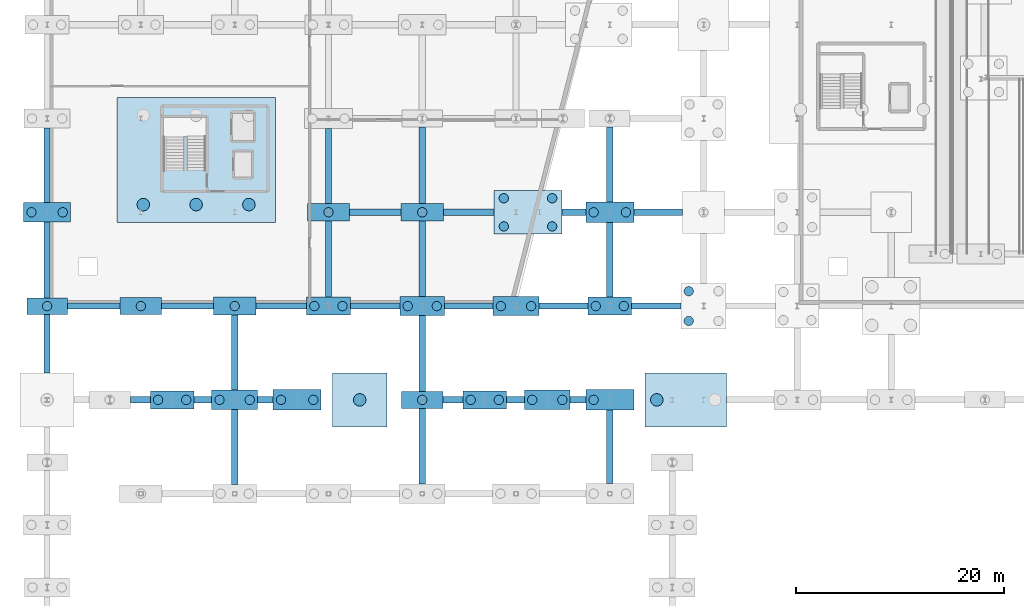
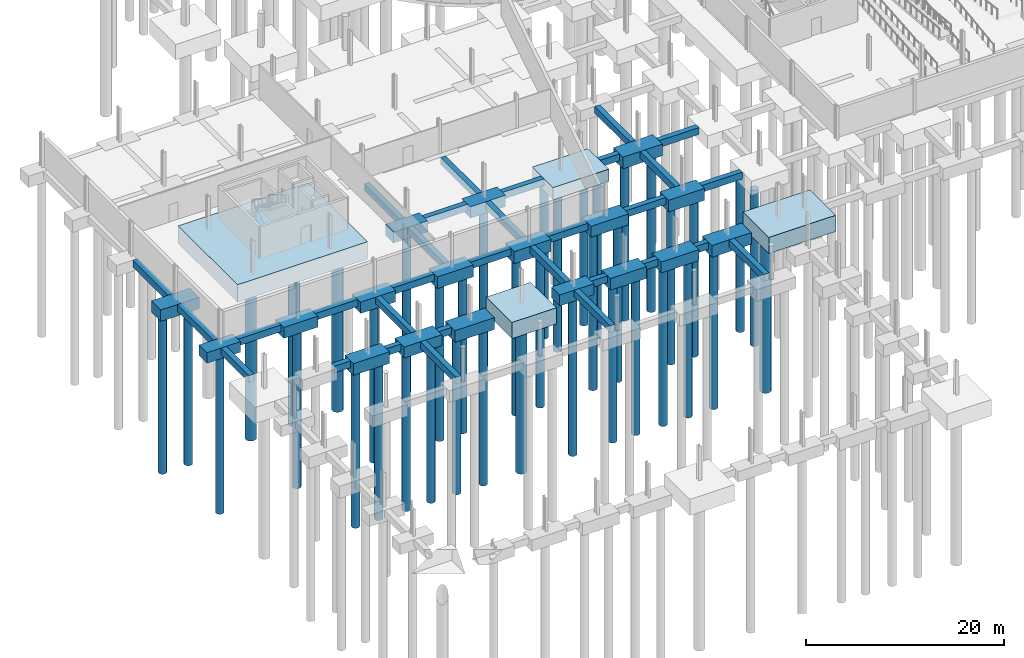
# One storey, part 2 of 42: 53 footings, 40 piles.
"""IFC4 building model written with IfcOpenShell, lengths in metres."""

from ifc_helpers import new_model, si_unit, direction, frame, origin, origin_2d, place, context, subcontext, project, spatial, rectangle, circle, extrude, material, material_profile, profile_set, type_object, element, save


model = new_model("IFC4")

# Units and contexts
model_context = context("Model", 3, precision=1e-05, world=origin(), true_north=direction((0.0, 1.0)))
body_context = subcontext(model_context, "Body", "Model", "MODEL_VIEW")
ifc_project = project(units=[si_unit("LENGTHUNIT", "METRE"), si_unit("AREAUNIT", "SQUARE_METRE"), si_unit("VOLUMEUNIT", "CUBIC_METRE"), si_unit("PLANEANGLEUNIT", "RADIAN"), si_unit("MASSUNIT", "GRAM", prefix="KILO")], contexts=[model_context])

# Site, building, storey
site_placement = place(None, origin())
site = spatial("IfcSite", under=ifc_project, at=site_placement, CompositionType="ELEMENT")
building_placement = place(site_placement, origin())
building = spatial("IfcBuilding", under=site, at=building_placement, Name="Deido Ridge Mobility Hub", CompositionType="ELEMENT")
storey_placement = place(building_placement, frame((0.0, 0.0, -4.199951171875)))
storey = spatial("IfcBuildingStorey", under=building, at=storey_placement, Name="B1", CompositionType="ELEMENT", Elevation=-4.199951171875)

# Footings
ifc_material = material(Name="Concrete C40/50", Category="concrete")
footing_type_1 = type_object("IfcFootingType", Name="FTG-PC-3900X1600X1300", PredefinedType="PILE_CAP", material=ifc_material)
footing_1_placement = place(storey_placement, frame((0.0, 45.0, -1.30029296875), z_axis=(0.0, 0.0, 1.0), x_axis=(1.0, 0.0, 0.0)))
element("IfcFooting", 1, at=footing_1_placement, inside=storey, type_object=footing_type_1, Name="Pile cap PC1", PredefinedType="PILE_CAP", context=body_context, shape_type="SweptSolid", body=[
    extrude(rectangle(XDim=3.89990234375, YDim=1.60009765625, at=origin_2d()), origin(), (0.0, 0.0, 1.0), 1.300048828125),
])
footing_type_2 = type_object("IfcFootingType", Name="FTG-PC-4000X1650X1350", PredefinedType="PILE_CAP", material=ifc_material)
for number, where, z_axis, x_axis, name in (
    (2, (36.0, 36.0, -1.35009765625), (0.0, 0.0, 1.0), (1.0, 0.0, 0.0), "Pile cap PC2"),
    (3, (9.0, 45.0, -1.35009765625), (0.0, 0.0, 1.0), (1.0, 0.0, 0.0), "Pile cap PC2"),
    (4, (27.0, 54.0, -1.35009765625), (0.0, 0.0, 1.0), (1.0, 0.0, 0.0), "Pile cap PC2"),
):
    element("IfcFooting", number, at=place(storey_placement, frame(where, z_axis=z_axis, x_axis=x_axis)), inside=storey, type_object=footing_type_2, Name=name, PredefinedType="PILE_CAP", context=body_context, shape_type="SweptSolid", body=[
        extrude(rectangle(XDim=4.0, YDim=1.64990234375, at=origin_2d()), origin(), (0.0, 0.0, 1.0), 1.35009765625),
    ])
footing_type_3 = type_object("IfcFootingType", Name="FTG-PC-4100X1700X1400", PredefinedType="PILE_CAP", material=ifc_material)
for number, where, z_axis, x_axis, name in (
    (5, (18.0, 45.0, -1.39990234375), (0.0, 0.0, 1.0), (1.0, 0.0, 0.0), "Pile cap PC3"),
    (6, (36.0, 54.0, -1.39990234375), (0.0, 0.0, 1.0), (1.0, 0.0, 0.0), "Pile cap PC3"),
):
    element("IfcFooting", number, at=place(storey_placement, frame(where, z_axis=z_axis, x_axis=x_axis)), inside=storey, type_object=footing_type_3, Name=name, PredefinedType="PILE_CAP", context=body_context, shape_type="SweptSolid", body=[
        extrude(rectangle(XDim=4.10009765625, YDim=1.699951171875, at=origin_2d()), origin(), (0.0, 0.0, 1.0), 1.39990234375),
    ])
footing_type_4 = type_object("IfcFootingType", Name="FTG-PC-4200X1750X1450", PredefinedType="PILE_CAP", material=ifc_material)
for number, where, z_axis, x_axis, name in (
    (7, (12.0, 36.0, -1.4501953125), (0.0, 0.0, 1.0), (1.0, 0.0, 0.0), "Pile cap PC4"),
    (8, (42.0, 36.0, -1.4501953125), (0.0, 0.0, 1.0), (1.0, 0.0, 0.0), "Pile cap PC4"),
    (9, (27.0, 45.0, -1.4501953125), (0.0, 0.0, 1.0), (1.0, 0.0, 0.0), "Pile cap PC4"),
    (10, (54.0, 45.0, -1.4501953125), (0.0, 0.0, 1.0), (1.0, 0.0, 0.0), "Pile cap PC4"),
):
    element("IfcFooting", number, at=place(storey_placement, frame(where, z_axis=z_axis, x_axis=x_axis)), inside=storey, type_object=footing_type_4, Name=name, PredefinedType="PILE_CAP", context=body_context, shape_type="SweptSolid", body=[
        extrude(rectangle(XDim=4.199951171875, YDim=1.75, at=origin_2d()), origin(), (0.0, 0.0, 1.0), 1.449951171875),
    ])
footing_type_5 = type_object("IfcFootingType", Name="FTG-PC-4300X1800X1500", PredefinedType="PILE_CAP", material=ifc_material)
footing_2_placement = place(storey_placement, frame((36.0, 45.0, -1.5), z_axis=(0.0, 0.0, 1.0), x_axis=(1.0, 0.0, 0.0)))
element("IfcFooting", 11, at=footing_2_placement, inside=storey, type_object=footing_type_5, Name="Pile cap PC5", PredefinedType="PILE_CAP", context=body_context, shape_type="SweptSolid", body=[
    extrude(rectangle(XDim=4.300048828125, YDim=1.800048828125, at=origin_2d()), origin(), (0.0, 0.0, 1.0), 1.5),
])
footing_type_6 = type_object("IfcFootingType", Name="FTG-PC-4400X1850X1350", PredefinedType="PILE_CAP", material=ifc_material)
for number, where, z_axis, x_axis, name in (
    (12, (18.0, 36.0, -1.35009765625), (0.0, 0.0, 1.0), (1.0, 0.0, 0.0), "Pile cap PC6"),
    (13, (48.0, 36.0, -1.35009765625), (0.0, 0.0, 1.0), (1.0, 0.0, 0.0), "Pile cap PC6"),
    (14, (45.0, 45.0, -1.35009765625), (0.0, 0.0, 1.0), (1.0, 0.0, 0.0), "Pile cap PC6"),
):
    element("IfcFooting", number, at=place(storey_placement, frame(where, z_axis=z_axis, x_axis=x_axis)), inside=storey, type_object=footing_type_6, Name=name, PredefinedType="PILE_CAP", context=body_context, shape_type="SweptSolid", body=[
        extrude(rectangle(XDim=4.39990234375, YDim=1.85009765625, at=origin_2d()), origin(), (0.0, 0.0, 1.0), 1.35009765625),
    ])
footing_type_7 = type_object("IfcFootingType", Name="FTG-PC-4500X1900X1400", PredefinedType="PILE_CAP", material=ifc_material)
footing_3_placement = place(storey_placement, frame((0.0, 54.0, -1.39990234375), z_axis=(0.0, 0.0, 1.0), x_axis=(1.0, 0.0, 0.0)))
element("IfcFooting", 15, at=footing_3_placement, inside=storey, type_object=footing_type_7, Name="Pile cap PC7", PredefinedType="PILE_CAP", context=body_context, shape_type="SweptSolid", body=[
    extrude(rectangle(XDim=4.5, YDim=1.89990234375, at=origin_2d()), origin(), (0.0, 0.0, 1.0), 1.39990234375),
])
footing_type_8 = type_object("IfcFootingType", Name="FTG-PC-4600X1950X1450", PredefinedType="PILE_CAP", material=ifc_material)
for number, where, z_axis, x_axis, name in (
    (16, (24.0, 36.0, -1.4501953125), (0.0, 0.0, 1.0), (1.0, 0.0, 0.0), "Pile cap PC8"),
    (17, (54.0, 36.0, -1.4501953125), (0.0, 0.0, 1.0), (1.0, 0.0, 0.0), "Pile cap PC8"),
    (18, (54.0, 54.0, -1.4501953125), (0.0, 0.0, 1.0), (1.0, 0.0, 0.0), "Pile cap PC8"),
):
    element("IfcFooting", number, at=place(storey_placement, frame(where, z_axis=z_axis, x_axis=x_axis)), inside=storey, type_object=footing_type_8, Name=name, PredefinedType="PILE_CAP", context=body_context, shape_type="SweptSolid", body=[
        extrude(rectangle(XDim=4.60009765625, YDim=1.949951171875, at=origin_2d()), origin(), (0.0, 0.0, 1.0), 1.449951171875),
    ])
footing_type_9 = type_object("IfcFootingType", Name="FTG-PC-6500X4200X1500", PredefinedType="PILE_CAP", material=ifc_material)
footing_4_placement = place(storey_placement, frame((46.14990234375, 54.0, -1.5), z_axis=(0.0, 0.0, 1.0), x_axis=(1.0, 0.0, 0.0)))
element("IfcFooting", 19, at=footing_4_placement, inside=storey, type_object=footing_type_9, Name="Pile cap PC9", PredefinedType="PILE_CAP", context=body_context, shape_type="SweptSolid", body=[
    extrude(rectangle(XDim=6.5, YDim=4.199951171875, at=origin_2d()), origin(), (0.0, 0.0, 1.0), 1.5),
])
footing_type_10 = type_object("IfcFootingType", Name="FTG-PC-C6", PredefinedType="PILE_CAP", material=ifc_material)
footing_5_placement = place(storey_placement, frame((14.300048828125, 59.02490234375, -2.14990234375), z_axis=(0.0, 0.0, 1.0), x_axis=(1.0, 0.0, 0.0)))
element("IfcFooting", 20, at=footing_5_placement, inside=storey, type_object=footing_type_10, Name="Pile cap PC-C6", PredefinedType="PILE_CAP", context=body_context, shape_type="SweptSolid", body=[
    extrude(rectangle(XDim=15.199951171875, YDim=12.0, at=origin_2d()), origin(), (0.0, 0.0, 1.0), 2.14990234375),
])
footing_type_11 = type_object("IfcFootingType", Name="FTG-PC-MC3", PredefinedType="PILE_CAP", material=ifc_material)
footing_6_placement = place(storey_placement, frame((61.300048828125, 36.0, -2.0), z_axis=(0.0, 0.0, 1.0), x_axis=(1.0, 0.0, 0.0)))
element("IfcFooting", 21, at=footing_6_placement, inside=storey, type_object=footing_type_11, Name="Pile cap PC-MC3", PredefinedType="PILE_CAP", context=body_context, shape_type="SweptSolid", body=[
    extrude(rectangle(XDim=7.800048828125, YDim=5.199951171875, at=origin_2d()), origin(), (0.0, 0.0, 1.0), 2.0),
])
footing_type_12 = type_object("IfcFootingType", Name="FTG-PC-MC6", PredefinedType="PILE_CAP", material=ifc_material)
footing_7_placement = place(storey_placement, frame((30.0, 36.0, -2.0), z_axis=(0.0, 0.0, 1.0), x_axis=(1.0, 0.0, 0.0)))
element("IfcFooting", 22, at=footing_7_placement, inside=storey, type_object=footing_type_12, Name="Pile cap PC-MC6", PredefinedType="PILE_CAP", context=body_context, shape_type="SweptSolid", body=[
    extrude(rectangle(XDim=5.199951171875, YDim=5.199951171875, at=origin_2d()), origin(), (0.0, 0.0, 1.0), 2.0),
])
ifc_material_profile_1 = material_profile(ifc_material, rectangle(XDim=0.60009765625, YDim=0.85009765625, at=origin_2d()), Name="RC GB 600x850")
ifc_profile_set_1 = profile_set([ifc_material_profile_1], Name="Concrete C40/50")
footing_type_13 = type_object("IfcFootingType", Name="GB-RC600X850", PredefinedType="FOOTING_BEAM", material=ifc_profile_set_1)
footing_8_placement = place(storey_placement, frame((8.0, 36.0, -0.425048828125), z_axis=(1.0, 0.0, 0.0), x_axis=(0.0, 1.0, 0.0)))
element("IfcFooting", 23, at=footing_8_placement, inside=storey, type_object=footing_type_13, Name="Ground beam GB1", PredefinedType="FOOTING_BEAM", context=body_context, shape_type="SweptSolid", body=[
    extrude(rectangle(XDim=0.60009765625, YDim=0.85009765625, at=origin_2d()), origin(), (0.0, 0.0, 1.0), 1.89990234375),
])
footing_9_placement = place(storey_placement, frame((14.10009765625, 36.0, -0.425048828125), z_axis=(1.0, 0.0, 0.0), x_axis=(0.0, 1.0, 0.0)))
element("IfcFooting", 24, at=footing_9_placement, inside=storey, type_object=footing_type_13, Name="Ground beam GB1", PredefinedType="FOOTING_BEAM", context=body_context, shape_type="SweptSolid", body=[
    extrude(rectangle(XDim=0.60009765625, YDim=0.85009765625, at=origin_2d()), origin(), (0.0, 0.0, 1.0), 1.699951171875),
])
footing_10_placement = place(storey_placement, frame((20.199951171875, 36.0, -0.425048828125), z_axis=(1.0, 0.0, 0.0), x_axis=(0.0, 1.0, 0.0)))
element("IfcFooting", 25, at=footing_10_placement, inside=storey, type_object=footing_type_13, Name="Ground beam GB1", PredefinedType="FOOTING_BEAM", context=body_context, shape_type="SweptSolid", body=[
    extrude(rectangle(XDim=0.60009765625, YDim=0.85009765625, at=origin_2d()), origin(), (0.0, 0.0, 1.0), 1.5),
])
footing_11_placement = place(storey_placement, frame((38.0, 36.0, -0.425048828125), z_axis=(1.0, 0.0, 0.0), x_axis=(0.0, 1.0, 0.0)))
element("IfcFooting", 26, at=footing_11_placement, inside=storey, type_object=footing_type_13, Name="Ground beam GB1", PredefinedType="FOOTING_BEAM", context=body_context, shape_type="SweptSolid", body=[
    extrude(rectangle(XDim=0.60009765625, YDim=0.85009765625, at=origin_2d()), origin(), (0.0, 0.0, 1.0), 1.89990234375),
])
footing_12_placement = place(storey_placement, frame((44.10009765625, 36.0, -0.425048828125), z_axis=(1.0, 0.0, 0.0), x_axis=(0.0, 1.0, 0.0)))
element("IfcFooting", 27, at=footing_12_placement, inside=storey, type_object=footing_type_13, Name="Ground beam GB1", PredefinedType="FOOTING_BEAM", context=body_context, shape_type="SweptSolid", body=[
    extrude(rectangle(XDim=0.60009765625, YDim=0.85009765625, at=origin_2d()), origin(), (0.0, 0.0, 1.0), 1.699951171875),
])
footing_13_placement = place(storey_placement, frame((50.199951171875, 36.0, -0.425048828125), z_axis=(1.0, 0.0, 0.0), x_axis=(0.0, 1.0, 0.0)))
element("IfcFooting", 28, at=footing_13_placement, inside=storey, type_object=footing_type_13, Name="Ground beam GB1", PredefinedType="FOOTING_BEAM", context=body_context, shape_type="SweptSolid", body=[
    extrude(rectangle(XDim=0.60009765625, YDim=0.85009765625, at=origin_2d()), origin(), (0.0, 0.0, 1.0), 1.5),
])
footing_14_placement = place(storey_placement, frame((1.949951171875, 45.0, -0.425048828125), z_axis=(1.0, 0.0, 0.0), x_axis=(0.0, 1.0, 0.0)))
element("IfcFooting", 29, at=footing_14_placement, inside=storey, type_object=footing_type_13, Name="Ground beam GB1", PredefinedType="FOOTING_BEAM", context=body_context, shape_type="SweptSolid", body=[
    extrude(rectangle(XDim=0.60009765625, YDim=0.85009765625, at=origin_2d()), origin(), (0.0, 0.0, 1.0), 5.050048828125),
])
footing_15_placement = place(storey_placement, frame((11.0, 45.0, -0.425048828125), z_axis=(1.0, 0.0, 0.0), x_axis=(0.0, 1.0, 0.0)))
element("IfcFooting", 30, at=footing_15_placement, inside=storey, type_object=footing_type_13, Name="Ground beam GB1", PredefinedType="FOOTING_BEAM", context=body_context, shape_type="SweptSolid", body=[
    extrude(rectangle(XDim=0.60009765625, YDim=0.85009765625, at=origin_2d()), origin(), (0.0, 0.0, 1.0), 4.949951171875),
])
footing_16_placement = place(storey_placement, frame((20.050048828125, 45.0, -0.425048828125), z_axis=(1.0, 0.0, 0.0), x_axis=(0.0, 1.0, 0.0)))
element("IfcFooting", 31, at=footing_16_placement, inside=storey, type_object=footing_type_13, Name="Ground beam GB1", PredefinedType="FOOTING_BEAM", context=body_context, shape_type="SweptSolid", body=[
    extrude(rectangle(XDim=0.60009765625, YDim=0.85009765625, at=origin_2d()), origin(), (0.0, 0.0, 1.0), 4.849853515625),
])
footing_17_placement = place(storey_placement, frame((29.10009765625, 45.0, -0.425048828125), z_axis=(1.0, 0.0, 0.0), x_axis=(0.0, 1.0, 0.0)))
element("IfcFooting", 32, at=footing_17_placement, inside=storey, type_object=footing_type_13, Name="Ground beam GB1", PredefinedType="FOOTING_BEAM", context=body_context, shape_type="SweptSolid", body=[
    extrude(rectangle(XDim=0.60009765625, YDim=0.85009765625, at=origin_2d()), origin(), (0.0, 0.0, 1.0), 4.75),
])
footing_18_placement = place(storey_placement, frame((38.14990234375, 45.0, -0.425048828125), z_axis=(1.0, 0.0, 0.0), x_axis=(0.0, 1.0, 0.0)))
element("IfcFooting", 33, at=footing_18_placement, inside=storey, type_object=footing_type_13, Name="Ground beam GB1", PredefinedType="FOOTING_BEAM", context=body_context, shape_type="SweptSolid", body=[
    extrude(rectangle(XDim=0.60009765625, YDim=0.85009765625, at=origin_2d()), origin(), (0.0, 0.0, 1.0), 4.650146484375),
])
footing_19_placement = place(storey_placement, frame((47.199951171875, 45.0, -0.425048828125), z_axis=(1.0, 0.0, 0.0), x_axis=(0.0, 1.0, 0.0)))
element("IfcFooting", 34, at=footing_19_placement, inside=storey, type_object=footing_type_13, Name="Ground beam GB1", PredefinedType="FOOTING_BEAM", context=body_context, shape_type="SweptSolid", body=[
    extrude(rectangle(XDim=0.60009765625, YDim=0.85009765625, at=origin_2d()), origin(), (0.0, 0.0, 1.0), 4.699951171875),
])
footing_20_placement = place(storey_placement, frame((56.10009765625, 45.0, -0.425048828125), z_axis=(1.0, 0.0, 0.0), x_axis=(0.0, 1.0, 0.0)))
element("IfcFooting", 35, at=footing_20_placement, inside=storey, type_object=footing_type_13, Name="Ground beam GB1", PredefinedType="FOOTING_BEAM", context=body_context, shape_type="SweptSolid", body=[
    extrude(rectangle(XDim=0.60009765625, YDim=0.85009765625, at=origin_2d()), origin(), (0.0, 0.0, 1.0), 4.724853515625),
])
footing_21_placement = place(storey_placement, frame((29.0, 54.0, -0.425048828125), z_axis=(1.0, 0.0, 0.0), x_axis=(0.0, 1.0, 0.0)))
element("IfcFooting", 36, at=footing_21_placement, inside=storey, type_object=footing_type_13, Name="Ground beam GB1", PredefinedType="FOOTING_BEAM", context=body_context, shape_type="SweptSolid", body=[
    extrude(rectangle(XDim=0.60009765625, YDim=0.85009765625, at=origin_2d()), origin(), (0.0, 0.0, 1.0), 4.949951171875),
])
footing_22_placement = place(storey_placement, frame((38.050048828125, 54.0, -0.425048828125), z_axis=(1.0, 0.0, 0.0), x_axis=(0.0, 1.0, 0.0)))
element("IfcFooting", 37, at=footing_22_placement, inside=storey, type_object=footing_type_13, Name="Ground beam GB1", PredefinedType="FOOTING_BEAM", context=body_context, shape_type="SweptSolid", body=[
    extrude(rectangle(XDim=0.60009765625, YDim=0.85009765625, at=origin_2d()), origin(), (0.0, 0.0, 1.0), 4.849853515625),
])
footing_23_placement = place(storey_placement, frame((49.39990234375, 54.0, -0.425048828125), z_axis=(1.0, 0.0, 0.0), x_axis=(0.0, 1.0, 0.0)))
element("IfcFooting", 38, at=footing_23_placement, inside=storey, type_object=footing_type_13, Name="Ground beam GB1", PredefinedType="FOOTING_BEAM", context=body_context, shape_type="SweptSolid", body=[
    extrude(rectangle(XDim=0.60009765625, YDim=0.85009765625, at=origin_2d()), origin(), (0.0, 0.0, 1.0), 2.300048828125),
])
footing_24_placement = place(storey_placement, frame((56.300048828125, 54.0, -0.425048828125), z_axis=(1.0, 0.0, 0.0), x_axis=(0.0, 1.0, 0.0)))
element("IfcFooting", 39, at=footing_24_placement, inside=storey, type_object=footing_type_13, Name="Ground beam GB1", PredefinedType="FOOTING_BEAM", context=body_context, shape_type="SweptSolid", body=[
    extrude(rectangle(XDim=0.60009765625, YDim=0.85009765625, at=origin_2d()), origin(), (0.0, 0.0, 1.0), 4.675048828125),
])
footing_25_placement = place(storey_placement, frame((0.0, 38.60009765625, -0.425048828125), z_axis=(0.0, 1.0, 0.0), x_axis=(-1.0, 0.0, 0.0)))
element("IfcFooting", 40, at=footing_25_placement, inside=storey, type_object=footing_type_13, Name="Ground beam GB1", PredefinedType="FOOTING_BEAM", context=body_context, shape_type="SweptSolid", body=[
    extrude(rectangle(XDim=0.60009765625, YDim=0.85009765625, at=origin_2d()), origin(), (0.0, 0.0, 1.0), 5.599853515625),
])
footing_26_placement = place(storey_placement, frame((0.0, 45.800048828125, -0.425048828125), z_axis=(0.0, 1.0, 0.0), x_axis=(-1.0, 0.0, 0.0)))
element("IfcFooting", 41, at=footing_26_placement, inside=storey, type_object=footing_type_13, Name="Ground beam GB1", PredefinedType="FOOTING_BEAM", context=body_context, shape_type="SweptSolid", body=[
    extrude(rectangle(XDim=0.60009765625, YDim=0.85009765625, at=origin_2d()), origin(), (0.0, 0.0, 1.0), 7.25),
])
footing_27_placement = place(storey_placement, frame((0.0, 54.949951171875, -0.425048828125), z_axis=(0.0, 1.0, 0.0), x_axis=(-1.0, 0.0, 0.0)))
element("IfcFooting", 42, at=footing_27_placement, inside=storey, type_object=footing_type_13, Name="Ground beam GB1", PredefinedType="FOOTING_BEAM", context=body_context, shape_type="SweptSolid", body=[
    extrude(rectangle(XDim=0.60009765625, YDim=0.85009765625, at=origin_2d()), origin(), (0.0, 0.0, 1.0), 7.125),
])
footing_28_placement = place(storey_placement, frame((18.0, 27.875, -0.425048828125), z_axis=(0.0, 1.0, 0.0), x_axis=(-1.0, 0.0, 0.0)))
element("IfcFooting", 43, at=footing_28_placement, inside=storey, type_object=footing_type_13, Name="Ground beam GB1", PredefinedType="FOOTING_BEAM", context=body_context, shape_type="SweptSolid", body=[
    extrude(rectangle(XDim=0.60009765625, YDim=0.85009765625, at=origin_2d()), origin(), (0.0, 0.0, 1.0), 7.199951171875),
])
footing_29_placement = place(storey_placement, frame((18.0, 36.925048828125, -0.425048828125), z_axis=(0.0, 1.0, 0.0), x_axis=(-1.0, 0.0, 0.0)))
element("IfcFooting", 44, at=footing_29_placement, inside=storey, type_object=footing_type_13, Name="Ground beam GB1", PredefinedType="FOOTING_BEAM", context=body_context, shape_type="SweptSolid", body=[
    extrude(rectangle(XDim=0.60009765625, YDim=0.85009765625, at=origin_2d()), origin(), (0.0, 0.0, 1.0), 7.224853515625),
])
footing_30_placement = place(storey_placement, frame((36.0, 27.925048828125, -0.425048828125), z_axis=(0.0, 1.0, 0.0), x_axis=(-1.0, 0.0, 0.0)))
element("IfcFooting", 45, at=footing_30_placement, inside=storey, type_object=footing_type_13, Name="Ground beam GB1", PredefinedType="FOOTING_BEAM", context=body_context, shape_type="SweptSolid", body=[
    extrude(rectangle(XDim=0.60009765625, YDim=0.85009765625, at=origin_2d()), origin(), (0.0, 0.0, 1.0), 7.25),
])
footing_31_placement = place(storey_placement, frame((36.0, 36.824951171875, -0.425048828125), z_axis=(0.0, 1.0, 0.0), x_axis=(-1.0, 0.0, 0.0)))
element("IfcFooting", 46, at=footing_31_placement, inside=storey, type_object=footing_type_13, Name="Ground beam GB1", PredefinedType="FOOTING_BEAM", context=body_context, shape_type="SweptSolid", body=[
    extrude(rectangle(XDim=0.60009765625, YDim=0.85009765625, at=origin_2d()), origin(), (0.0, 0.0, 1.0), 7.275146484375),
])
footing_32_placement = place(storey_placement, frame((36.0, 45.89990234375, -0.425048828125), z_axis=(0.0, 1.0, 0.0), x_axis=(-1.0, 0.0, 0.0)))
element("IfcFooting", 47, at=footing_32_placement, inside=storey, type_object=footing_type_13, Name="Ground beam GB1", PredefinedType="FOOTING_BEAM", context=body_context, shape_type="SweptSolid", body=[
    extrude(rectangle(XDim=0.60009765625, YDim=0.85009765625, at=origin_2d()), origin(), (0.0, 0.0, 1.0), 7.25),
])
footing_33_placement = place(storey_placement, frame((36.0, 54.85009765625, -0.425048828125), z_axis=(0.0, 1.0, 0.0), x_axis=(-1.0, 0.0, 0.0)))
element("IfcFooting", 48, at=footing_33_placement, inside=storey, type_object=footing_type_13, Name="Ground beam GB1", PredefinedType="FOOTING_BEAM", context=body_context, shape_type="SweptSolid", body=[
    extrude(rectangle(XDim=0.60009765625, YDim=0.85009765625, at=origin_2d()), origin(), (0.0, 0.0, 1.0), 7.349853515625),
])
footing_34_placement = place(storey_placement, frame((54.0, 27.97509765625, -0.425048828125), z_axis=(0.0, 1.0, 0.0), x_axis=(-1.0, 0.0, 0.0)))
element("IfcFooting", 49, at=footing_34_placement, inside=storey, type_object=footing_type_13, Name="Ground beam GB1", PredefinedType="FOOTING_BEAM", context=body_context, shape_type="SweptSolid", body=[
    extrude(rectangle(XDim=0.60009765625, YDim=0.85009765625, at=origin_2d()), origin(), (0.0, 0.0, 1.0), 7.0498046875),
])
footing_35_placement = place(storey_placement, frame((54.0, 45.875, -0.425048828125), z_axis=(0.0, 1.0, 0.0), x_axis=(-1.0, 0.0, 0.0)))
element("IfcFooting", 50, at=footing_35_placement, inside=storey, type_object=footing_type_13, Name="Ground beam GB1", PredefinedType="FOOTING_BEAM", context=body_context, shape_type="SweptSolid", body=[
    extrude(rectangle(XDim=0.60009765625, YDim=0.85009765625, at=origin_2d()), origin(), (0.0, 0.0, 1.0), 7.14990234375),
])
footing_36_placement = place(storey_placement, frame((54.0, 54.97509765625, -0.425048828125), z_axis=(0.0, 1.0, 0.0), x_axis=(-1.0, 0.0, 0.0)))
element("IfcFooting", 51, at=footing_36_placement, inside=storey, type_object=footing_type_13, Name="Ground beam GB1", PredefinedType="FOOTING_BEAM", context=body_context, shape_type="SweptSolid", body=[
    extrude(rectangle(XDim=0.60009765625, YDim=0.85009765625, at=origin_2d()), origin(), (0.0, 0.0, 1.0), 7.224853515625),
])
footing_37_placement = place(storey_placement, frame((27.0, 45.875, -0.425048828125), z_axis=(0.0, 1.0, 0.0), x_axis=(-1.0, 0.0, 0.0)))
element("IfcFooting", 52, at=footing_37_placement, inside=storey, type_object=footing_type_13, Name="Ground beam GB1", PredefinedType="FOOTING_BEAM", context=body_context, shape_type="SweptSolid", body=[
    extrude(rectangle(XDim=0.60009765625, YDim=0.85009765625, at=origin_2d()), origin(), (0.0, 0.0, 1.0), 7.300048828125),
])
footing_38_placement = place(storey_placement, frame((27.0, 54.824951171875, -0.425048828125), z_axis=(0.0, 1.0, 0.0), x_axis=(-1.0, 0.0, 0.0)))
element("IfcFooting", 53, at=footing_38_placement, inside=storey, type_object=footing_type_13, Name="Ground beam GB1", PredefinedType="FOOTING_BEAM", context=body_context, shape_type="SweptSolid", body=[
    extrude(rectangle(XDim=0.60009765625, YDim=0.85009765625, at=origin_2d()), origin(), (0.0, 0.0, 1.0), 7.199951171875),
])

# Piles
ifc_material_profile_2 = material_profile(ifc_material, circle(Radius=0.60009765625, at=origin_2d()), Name="BORED PILE D1200")
ifc_profile_set_2 = profile_set([ifc_material_profile_2], Name="Concrete C40/50")
pile_type_1 = type_object("IfcPileType", Name="PILE-BORED-D1200", PredefinedType="BORED", material=ifc_profile_set_2)
for number, where, z_axis, x_axis, name in (
    (54, (9.2333984375, 54.7392578125, -2.0), (0.0, 0.0, -1.0), (1.0, 0.0, 0.0), "Bored pile P2"),
    (55, (14.300048828125, 54.7392578125, -2.0), (0.0, 0.0, -1.0), (1.0, 0.0, 0.0), "Bored pile P2"),
    (56, (19.36669921875, 54.7392578125, -2.0), (0.0, 0.0, -1.0), (1.0, 0.0, 0.0), "Bored pile P2"),
):
    element("IfcPile", number, at=place(storey_placement, frame(where, z_axis=z_axis, x_axis=x_axis)), inside=storey, type_object=pile_type_1, Name=name, PredefinedType="BORED", context=body_context, shape_type="SweptSolid", body=[
        extrude(circle(Radius=0.60009765625, at=origin_2d()), origin(), (0.0, 0.0, 1.0), 18.800048828125),
    ])
for number, where, z_axis, x_axis, name in (
    (57, (58.514404296875, 36.0, -1.85009765625), (0.0, 0.0, -1.0), (1.0, 0.0, 0.0), "Bored pile P2"),
    (58, (30.0, 36.0, -1.85009765625), (0.0, 0.0, -1.0), (1.0, 0.0, 0.0), "Bored pile P2"),
):
    element("IfcPile", number, at=place(storey_placement, frame(where, z_axis=z_axis, x_axis=x_axis)), inside=storey, type_object=pile_type_1, Name=name, PredefinedType="BORED", context=body_context, shape_type="SweptSolid", body=[
        extrude(circle(Radius=0.60009765625, at=origin_2d()), origin(), (0.0, 0.0, 1.0), 18.949951171875),
    ])
ifc_material_profile_3 = material_profile(ifc_material, circle(Radius=0.449951171875, at=origin_2d()), Name="BORED PILE D900")
ifc_profile_set_3 = profile_set([ifc_material_profile_3], Name="Concrete C40/50")
pile_type_2 = type_object("IfcPileType", Name="PILE-BORED-D900", PredefinedType="BORED", material=ifc_profile_set_3)
for number, where, z_axis, x_axis, name in (
    (59, (10.64990234375, 36.0, -1.300048828125), (0.0, 0.0, -1.0), (1.0, 0.0, 0.0), "Bored pile P1"),
    (60, (13.35009765625, 36.0, -1.300048828125), (0.0, 0.0, -1.0), (1.0, 0.0, 0.0), "Bored pile P1"),
):
    element("IfcPile", number, at=place(storey_placement, frame(where, z_axis=z_axis, x_axis=x_axis)), inside=storey, type_object=pile_type_2, Name=name, PredefinedType="BORED", context=body_context, shape_type="SweptSolid", body=[
        extrude(circle(Radius=0.449951171875, at=origin_2d()), origin(), (0.0, 0.0, 1.0), 19.5),
    ])
for number, where, z_axis, x_axis, name in (
    (61, (16.550048828125, 36.0, -1.199951171875), (0.0, 0.0, -1.0), (1.0, 0.0, 0.0), "Bored pile P1"),
    (62, (19.449951171875, 36.0, -1.199951171875), (0.0, 0.0, -1.0), (1.0, 0.0, 0.0), "Bored pile P1"),
):
    element("IfcPile", number, at=place(storey_placement, frame(where, z_axis=z_axis, x_axis=x_axis)), inside=storey, type_object=pile_type_2, Name=name, PredefinedType="BORED", context=body_context, shape_type="SweptSolid", body=[
        extrude(circle(Radius=0.449951171875, at=origin_2d()), origin(), (0.0, 0.0, 1.0), 19.60009765625),
    ])
for number, where, z_axis, x_axis, name in (
    (63, (22.449951171875, 36.0, -1.300048828125), (0.0, 0.0, -1.0), (1.0, 0.0, 0.0), "Bored pile P1"),
    (64, (25.550048828125, 36.0, -1.300048828125), (0.0, 0.0, -1.0), (1.0, 0.0, 0.0), "Bored pile P1"),
):
    element("IfcPile", number, at=place(storey_placement, frame(where, z_axis=z_axis, x_axis=x_axis)), inside=storey, type_object=pile_type_2, Name=name, PredefinedType="BORED", context=body_context, shape_type="SweptSolid", body=[
        extrude(circle(Radius=0.449951171875, at=origin_2d()), origin(), (0.0, 0.0, 1.0), 19.5),
    ])
pile_1_placement = place(storey_placement, frame((36.0, 36.0, -1.199951171875), z_axis=(0.0, 0.0, -1.0), x_axis=(1.0, 0.0, 0.0)))
element("IfcPile", 65, at=pile_1_placement, inside=storey, type_object=pile_type_2, Name="Bored pile P1", PredefinedType="BORED", context=body_context, shape_type="SweptSolid", body=[
    extrude(circle(Radius=0.449951171875, at=origin_2d()), origin(), (0.0, 0.0, 1.0), 19.60009765625),
])
for number, where, z_axis, x_axis, name in (
    (66, (40.64990234375, 36.0, -1.300048828125), (0.0, 0.0, -1.0), (1.0, 0.0, 0.0), "Bored pile P1"),
    (67, (43.35009765625, 36.0, -1.300048828125), (0.0, 0.0, -1.0), (1.0, 0.0, 0.0), "Bored pile P1"),
):
    element("IfcPile", number, at=place(storey_placement, frame(where, z_axis=z_axis, x_axis=x_axis)), inside=storey, type_object=pile_type_2, Name=name, PredefinedType="BORED", context=body_context, shape_type="SweptSolid", body=[
        extrude(circle(Radius=0.449951171875, at=origin_2d()), origin(), (0.0, 0.0, 1.0), 19.5),
    ])
for number, where, z_axis, x_axis, name in (
    (68, (46.550048828125, 36.0, -1.199951171875), (0.0, 0.0, -1.0), (1.0, 0.0, 0.0), "Bored pile P1"),
    (69, (49.449951171875, 36.0, -1.199951171875), (0.0, 0.0, -1.0), (1.0, 0.0, 0.0), "Bored pile P1"),
):
    element("IfcPile", number, at=place(storey_placement, frame(where, z_axis=z_axis, x_axis=x_axis)), inside=storey, type_object=pile_type_2, Name=name, PredefinedType="BORED", context=body_context, shape_type="SweptSolid", body=[
        extrude(circle(Radius=0.449951171875, at=origin_2d()), origin(), (0.0, 0.0, 1.0), 19.60009765625),
    ])
pile_2_placement = place(storey_placement, frame((52.449951171875, 36.0, -1.300048828125), z_axis=(0.0, 0.0, -1.0), x_axis=(1.0, 0.0, 0.0)))
element("IfcPile", 70, at=pile_2_placement, inside=storey, type_object=pile_type_2, Name="Bored pile P1", PredefinedType="BORED", context=body_context, shape_type="SweptSolid", body=[
    extrude(circle(Radius=0.449951171875, at=origin_2d()), origin(), (0.0, 0.0, 1.0), 19.5),
])
pile_3_placement = place(storey_placement, frame((0.0, 45.0, -1.150146484375), z_axis=(0.0, 0.0, -1.0), x_axis=(1.0, 0.0, 0.0)))
element("IfcPile", 71, at=pile_3_placement, inside=storey, type_object=pile_type_2, Name="Bored pile P1", PredefinedType="BORED", context=body_context, shape_type="SweptSolid", body=[
    extrude(circle(Radius=0.449951171875, at=origin_2d()), origin(), (0.0, 0.0, 1.0), 19.64990234375),
])
pile_4_placement = place(storey_placement, frame((9.0, 45.0, -1.199951171875), z_axis=(0.0, 0.0, -1.0), x_axis=(1.0, 0.0, 0.0)))
element("IfcPile", 72, at=pile_4_placement, inside=storey, type_object=pile_type_2, Name="Bored pile P1", PredefinedType="BORED", context=body_context, shape_type="SweptSolid", body=[
    extrude(circle(Radius=0.449951171875, at=origin_2d()), origin(), (0.0, 0.0, 1.0), 19.60009765625),
])
pile_5_placement = place(storey_placement, frame((18.0, 45.0, -1.25), z_axis=(0.0, 0.0, -1.0), x_axis=(1.0, 0.0, 0.0)))
element("IfcPile", 73, at=pile_5_placement, inside=storey, type_object=pile_type_2, Name="Bored pile P1", PredefinedType="BORED", context=body_context, shape_type="SweptSolid", body=[
    extrude(circle(Radius=0.449951171875, at=origin_2d()), origin(), (0.0, 0.0, 1.0), 19.550048828125),
])
for number, where, z_axis, x_axis, name in (
    (74, (25.64990234375, 45.0, -1.300048828125), (0.0, 0.0, -1.0), (1.0, 0.0, 0.0), "Bored pile P1"),
    (75, (28.35009765625, 45.0, -1.300048828125), (0.0, 0.0, -1.0), (1.0, 0.0, 0.0), "Bored pile P1"),
):
    element("IfcPile", number, at=place(storey_placement, frame(where, z_axis=z_axis, x_axis=x_axis)), inside=storey, type_object=pile_type_2, Name=name, PredefinedType="BORED", context=body_context, shape_type="SweptSolid", body=[
        extrude(circle(Radius=0.449951171875, at=origin_2d()), origin(), (0.0, 0.0, 1.0), 19.5),
    ])
for number, where, z_axis, x_axis, name in (
    (76, (34.60009765625, 45.0, -1.35009765625), (0.0, 0.0, -1.0), (1.0, 0.0, 0.0), "Bored pile P1"),
    (77, (37.39990234375, 45.0, -1.35009765625), (0.0, 0.0, -1.0), (1.0, 0.0, 0.0), "Bored pile P1"),
):
    element("IfcPile", number, at=place(storey_placement, frame(where, z_axis=z_axis, x_axis=x_axis)), inside=storey, type_object=pile_type_2, Name=name, PredefinedType="BORED", context=body_context, shape_type="SweptSolid", body=[
        extrude(circle(Radius=0.449951171875, at=origin_2d()), origin(), (0.0, 0.0, 1.0), 19.449951171875),
    ])
for number, where, z_axis, x_axis, name in (
    (78, (43.550048828125, 45.0, -1.199951171875), (0.0, 0.0, -1.0), (1.0, 0.0, 0.0), "Bored pile P1"),
    (79, (46.449951171875, 45.0, -1.199951171875), (0.0, 0.0, -1.0), (1.0, 0.0, 0.0), "Bored pile P1"),
):
    element("IfcPile", number, at=place(storey_placement, frame(where, z_axis=z_axis, x_axis=x_axis)), inside=storey, type_object=pile_type_2, Name=name, PredefinedType="BORED", context=body_context, shape_type="SweptSolid", body=[
        extrude(circle(Radius=0.449951171875, at=origin_2d()), origin(), (0.0, 0.0, 1.0), 19.60009765625),
    ])
for number, where, z_axis, x_axis, name in (
    (80, (-1.5, 54.0, -1.25), (0.0, 0.0, -1.0), (1.0, 0.0, 0.0), "Bored pile P1"),
    (81, (1.5, 54.0, -1.25), (0.0, 0.0, -1.0), (1.0, 0.0, 0.0), "Bored pile P1"),
):
    element("IfcPile", number, at=place(storey_placement, frame(where, z_axis=z_axis, x_axis=x_axis)), inside=storey, type_object=pile_type_2, Name=name, PredefinedType="BORED", context=body_context, shape_type="SweptSolid", body=[
        extrude(circle(Radius=0.449951171875, at=origin_2d()), origin(), (0.0, 0.0, 1.0), 19.550048828125),
    ])
pile_6_placement = place(storey_placement, frame((27.0, 54.0, -1.199951171875), z_axis=(0.0, 0.0, -1.0), x_axis=(1.0, 0.0, 0.0)))
element("IfcPile", 82, at=pile_6_placement, inside=storey, type_object=pile_type_2, Name="Bored pile P1", PredefinedType="BORED", context=body_context, shape_type="SweptSolid", body=[
    extrude(circle(Radius=0.449951171875, at=origin_2d()), origin(), (0.0, 0.0, 1.0), 19.60009765625),
])
pile_7_placement = place(storey_placement, frame((36.0, 54.0, -1.25), z_axis=(0.0, 0.0, -1.0), x_axis=(1.0, 0.0, 0.0)))
element("IfcPile", 83, at=pile_7_placement, inside=storey, type_object=pile_type_2, Name="Bored pile P1", PredefinedType="BORED", context=body_context, shape_type="SweptSolid", body=[
    extrude(circle(Radius=0.449951171875, at=origin_2d()), origin(), (0.0, 0.0, 1.0), 19.550048828125),
])
for number, where, z_axis, x_axis, name in (
    (84, (43.82861328125, 52.64990234375, -1.35009765625), (0.0, 0.0, -1.0), (1.0, 0.0, 0.0), "Bored pile P1"),
    (85, (48.471435546875, 52.64990234375, -1.35009765625), (0.0, 0.0, -1.0), (1.0, 0.0, 0.0), "Bored pile P1"),
    (86, (43.82861328125, 55.35009765625, -1.35009765625), (0.0, 0.0, -1.0), (1.0, 0.0, 0.0), "Bored pile P1"),
    (87, (48.471435546875, 55.35009765625, -1.35009765625), (0.0, 0.0, -1.0), (1.0, 0.0, 0.0), "Bored pile P1"),
):
    element("IfcPile", number, at=place(storey_placement, frame(where, z_axis=z_axis, x_axis=x_axis)), inside=storey, type_object=pile_type_2, Name=name, PredefinedType="BORED", context=body_context, shape_type="SweptSolid", body=[
        extrude(circle(Radius=0.449951171875, at=origin_2d()), origin(), (0.0, 0.0, 1.0), 19.449951171875),
    ])
for number, where, z_axis, x_axis, name in (
    (88, (52.449951171875, 54.0, -1.300048828125), (0.0, 0.0, -1.0), (1.0, 0.0, 0.0), "Bored pile P1"),
    (89, (55.550048828125, 54.0, -1.300048828125), (0.0, 0.0, -1.0), (1.0, 0.0, 0.0), "Bored pile P1"),
    (90, (52.64990234375, 45.0, -1.300048828125), (0.0, 0.0, -1.0), (1.0, 0.0, 0.0), "Bored pile P1"),
    (91, (55.35009765625, 45.0, -1.300048828125), (0.0, 0.0, -1.0), (1.0, 0.0, 0.0), "Bored pile P1"),
):
    element("IfcPile", number, at=place(storey_placement, frame(where, z_axis=z_axis, x_axis=x_axis)), inside=storey, type_object=pile_type_2, Name=name, PredefinedType="BORED", context=body_context, shape_type="SweptSolid", body=[
        extrude(circle(Radius=0.449951171875, at=origin_2d()), origin(), (0.0, 0.0, 1.0), 19.5),
    ])
for number, where, z_axis, x_axis, name in (
    (92, (61.574951171875, 43.574951171875, -1.550048828125), (0.0, 0.0, -1.0), (1.0, 0.0, 0.0), "Bored pile P1"),
    (93, (61.574951171875, 46.425048828125, -1.550048828125), (0.0, 0.0, -1.0), (1.0, 0.0, 0.0), "Bored pile P1"),
):
    element("IfcPile", number, at=place(storey_placement, frame(where, z_axis=z_axis, x_axis=x_axis)), inside=storey, type_object=pile_type_2, Name=name, PredefinedType="BORED", context=body_context, shape_type="SweptSolid", body=[
        extrude(circle(Radius=0.449951171875, at=origin_2d()), origin(), (0.0, 0.0, 1.0), 19.25),
    ])

save(model, "model.ifc")
